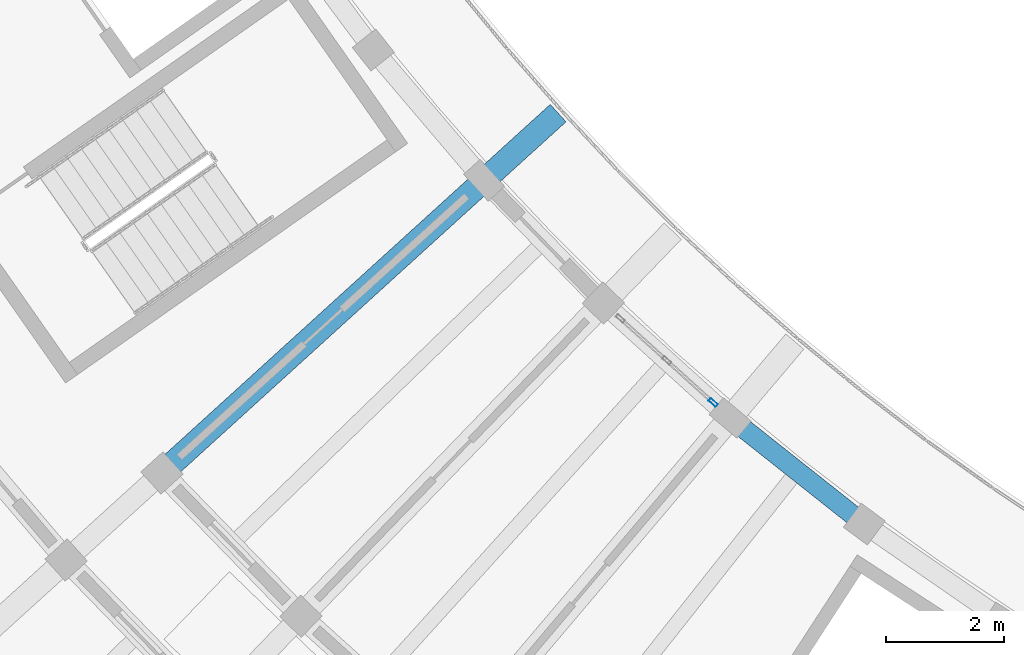
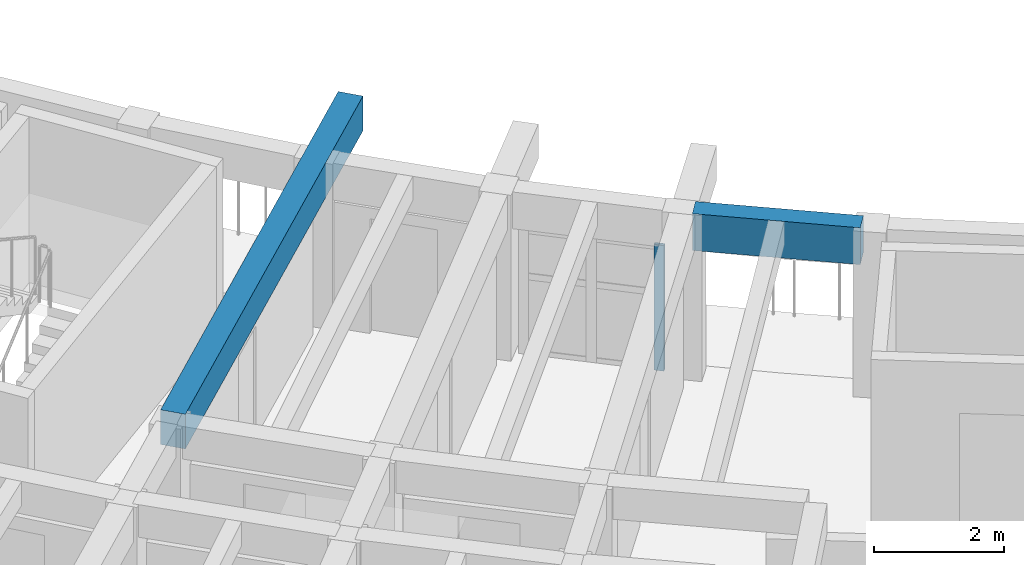
# One storey, part 6 of 83: 2 beams, 1 member, 1 element without a shape of its own.
"""IFC4 building model written with IfcOpenShell, lengths in metres."""

from ifc_helpers import new_model, si_unit, direction, frame, origin, origin_2d, place, context, subcontext, project, spatial, rectangle, hollow_rectangle, extrude, material, material_profile, profile_set, type_object, element, aggregate, save


model = new_model("IFC4")

# Units and contexts
model_context = context("Model", 3, precision=1e-05, world=origin(), true_north=direction((0.0, 1.0)))
body_context = subcontext(model_context, "Body", "Model", "MODEL_VIEW")
ifc_project = project(units=[si_unit("LENGTHUNIT", "METRE"), si_unit("AREAUNIT", "SQUARE_METRE"), si_unit("VOLUMEUNIT", "CUBIC_METRE"), si_unit("PLANEANGLEUNIT", "RADIAN"), si_unit("MASSUNIT", "GRAM", prefix="KILO")], contexts=[model_context])

# Site, building, storey
site_placement = place(None, origin())
site = spatial("IfcSite", under=ifc_project, at=site_placement, CompositionType="ELEMENT")
building_placement = place(site_placement, origin())
building = spatial("IfcBuilding", under=site, at=building_placement, Name="Tanwirah Colonnade Gardens", CompositionType="ELEMENT")
storey_placement = place(building_placement, frame((0.0, 0.0, 25.639892578125)))
storey = spatial("IfcBuildingStorey", under=building, at=storey_placement, Name="L07", CompositionType="ELEMENT", Elevation=25.639892578125)

# Beam
ifc_material_1 = material(Name="Precast concrete C45/55", Category="concrete")
ifc_material_profile_1 = material_profile(ifc_material_1, rectangle(XDim=0.39990234375, YDim=0.64990234375, at=origin_2d()), Name="PC-BM 400x650")
ifc_profile_set_1 = profile_set([ifc_material_profile_1], Name="Precast concrete C45/55")
beam_type_1 = type_object("IfcBeamType", Name="BM-PC400", PredefinedType="BEAM", material=ifc_profile_set_1)
beam_1_placement = place(storey_placement, frame((26.730712890625, 29.738525390625, 2.78515625), z_axis=(0.740212791446, 0.672372681911, 0.0), x_axis=(-0.672372681911, 0.740212791446, 0.0)))
element("IfcBeam", 1, at=beam_1_placement, inside=storey, type_object=beam_type_1, Name="Block C L07 Inner Radial Precast Girder 7", PredefinedType="BEAM", context=body_context, shape_type="SweptSolid", body=[
    extrude(rectangle(XDim=0.39990234375, YDim=0.64990234375, at=origin_2d()), origin(), (0.0, 0.0, 1.0), 8.9501953125),
])

# Curtain wall, member
ifc_material_2 = material(Name="Bronze-anodised aluminium and solar-control low-E glass", Category="aluminium")
curtain_wall_type = type_object("IfcCurtainWallType", Name="CW-GDN", PredefinedType="NOTDEFINED", material=ifc_material_2)
curtain_wall_placement = place(storey_placement, origin())
curtain_wall = element("IfcCurtainWall", 2, at=curtain_wall_placement, inside=storey, type_object=curtain_wall_type, Name="Curtain Wall CW-C-L07-IN-08", PredefinedType="NOTDEFINED")
ifc_material_3 = material(Name="Bronze-anodised aluminium", Category="aluminium")
ifc_material_profile_2 = material_profile(ifc_material_3, hollow_rectangle(XDim=0.06005859375, YDim=0.159912109375, WallThickness=0.00390625, at=origin_2d()), Name="CW-MUL 60x160x4")
ifc_profile_set_2 = profile_set([ifc_material_profile_2], Name="Bronze-anodised aluminium")
member_type = type_object("IfcMemberType", Name="CWM-60x160", PredefinedType="MULLION", material=ifc_profile_set_2)
member_placement = place(storey_placement, frame((35.990478515625, 30.8359375, 0.0), z_axis=(0.0, 0.0, 1.0), x_axis=(0.670750964954, 0.741682643058, 0.0)))
member = element("IfcMember", 3, at=member_placement, type_object=member_type, Name="CW-GDN mullion 3", PredefinedType="MULLION", context=body_context, shape_type="SweptSolid", body=[
    extrude(hollow_rectangle(XDim=0.06005859375, YDim=0.159912109375, WallThickness=0.00390625, at=origin_2d()), origin(), (0.0, 0.0, 1.0), 2.355224609375),
])
aggregate(curtain_wall, [member])

# Beam
ifc_material_4 = material(Name="Precast concrete C40/50", Category="concrete")
ifc_material_profile_3 = material_profile(ifc_material_4, rectangle(XDim=0.330078125, YDim=0.68994140625, at=origin_2d()), Name="PC-SP 330x690")
ifc_profile_set_3 = profile_set([ifc_material_profile_3], Name="Precast concrete C40/50")
beam_type_2 = type_object("IfcBeamType", Name="SP-PC280", PredefinedType="SPANDREL", material=ifc_profile_set_3)
beam_2_placement = place(storey_placement, frame((36.3974609375, 30.481201171875, 2.76513671875), z_axis=(0.783945239852, -0.62082997746, 0.0), x_axis=(0.62082997746, 0.783945239852, 0.0)))
element("IfcBeam", 4, at=beam_2_placement, inside=storey, type_object=beam_type_2, Name="Block C L07 Circumferential Beam 9-R0", PredefinedType="SPANDREL", context=body_context, shape_type="SweptSolid", body=[
    extrude(rectangle(XDim=0.330078125, YDim=0.68994140625, at=origin_2d()), origin(), (0.0, 0.0, 1.0), 2.60888671875),
])

save(model, "model.ifc")
